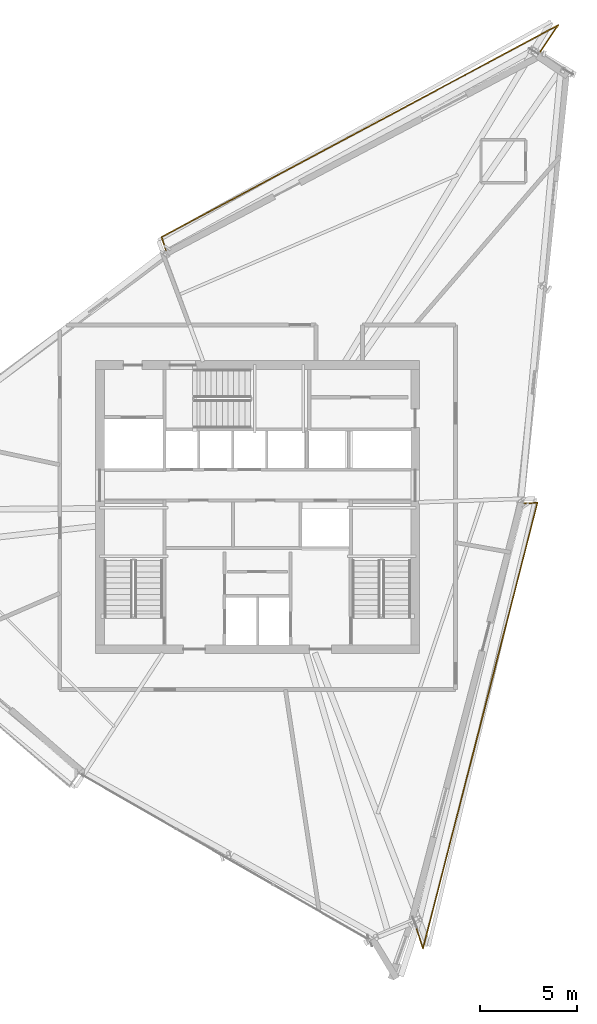
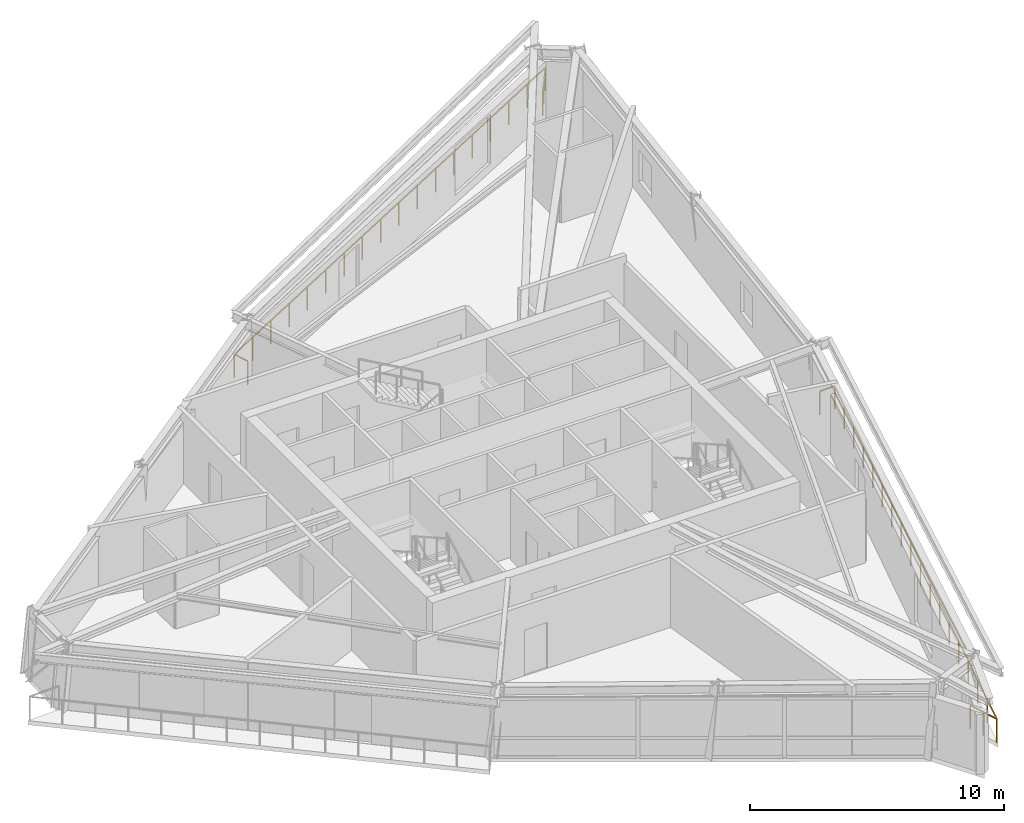
# One storey, part 13 of 13: 2 railings.
"""IFC4 building model written with IfcOpenShell, lengths in metres."""

from ifc_helpers import new_model, si_unit, direction, frame, origin, origin_2d, place, context, subcontext, project, spatial, rectangle, extrude, material, type_object, element, save


model = new_model("IFC4")

# Units and contexts
model_context = context("Model", 3, precision=1e-05, world=origin(), true_north=direction((0.0, 1.0)))
body_context = subcontext(model_context, "Body", "Model", "MODEL_VIEW")
ifc_project = project(units=[si_unit("LENGTHUNIT", "METRE"), si_unit("AREAUNIT", "SQUARE_METRE"), si_unit("VOLUMEUNIT", "CUBIC_METRE"), si_unit("PLANEANGLEUNIT", "RADIAN"), si_unit("MASSUNIT", "GRAM", prefix="KILO")], contexts=[model_context])

# Site, building, storey
site_placement = place(None, origin())
site = spatial("IfcSite", under=ifc_project, at=site_placement, CompositionType="ELEMENT")
building_placement = place(site_placement, origin())
building = spatial("IfcBuilding", under=site, at=building_placement, Name="Olszyna Solenne Hotel", CompositionType="ELEMENT")
storey_placement = place(building_placement, frame((0.0, 0.0, 263.300048828125)))
storey = spatial("IfcBuildingStorey", under=building, at=storey_placement, Name="L70", CompositionType="ELEMENT", Elevation=263.300048828125)

# Railings
ifc_material = material(Name="Anodised bronze aluminium", Category="aluminium")
railing_type = type_object("IfcRailingType", Name="GR-110", PredefinedType="BALUSTRADE", material=ifc_material)
railing_1_placement = place(storey_placement, frame((52.548095703125, 50.034423828125, 0.0)))
element("IfcRailing", 1, at=railing_1_placement, inside=storey, type_object=railing_type, Name="Loggia balcony balustrade guard GR-L70-LG1", PredefinedType="BALUSTRADE", context=body_context, shape_type="SweptSolid", body=[
    extrude(rectangle(XDim=0.048095703125, YDim=0.048095703125, at=origin_2d()), frame((0.0, 0.0, 1.1259765625), z_axis=(0.556031243897, 0.831161389749, 0.0), x_axis=(-0.831161389749, 0.556031243897, 0.0)), (0.0, 0.0, 1.0), 1.692138671875),
    extrude(rectangle(XDim=0.048095703125, YDim=0.048095703125, at=origin_2d()), frame((0.94091796875, 1.406494140625, 1.1259765625), z_axis=(-0.882038892734, -0.47117660352, 0.0), x_axis=(0.47117660352, -0.882038892734, 0.0)), (0.0, 0.0, 1.0), 23.169677734375),
    extrude(rectangle(XDim=0.048095703125, YDim=0.048095703125, at=origin_2d()), frame((-19.49560546875, -9.510498046875, 1.1259765625), z_axis=(0.308058546986, -0.95136740097, 0.0), x_axis=(0.95136740097, 0.308058546986, 0.0)), (0.0, 0.0, 1.0), 0.709228515625),
    extrude(rectangle(XDim=0.0419921875, YDim=0.0419921875, at=origin_2d()), origin(), (0.0, 0.0, 1.0), 1.101806640625),
    extrude(rectangle(XDim=0.0419921875, YDim=0.0419921875, at=origin_2d()), frame((0.470458984375, 0.703125, 0.0)), (0.0, 0.0, 1.0), 1.101806640625),
    extrude(rectangle(XDim=0.0419921875, YDim=0.0419921875, at=origin_2d()), frame((0.94091796875, 1.406494140625, 0.0)), (0.0, 0.0, 1.0), 1.101806640625),
    extrude(rectangle(XDim=0.0419921875, YDim=0.0419921875, at=origin_2d()), frame((-0.26123046875, 0.764404296875, 0.0)), (0.0, 0.0, 1.0), 1.101806640625),
    extrude(rectangle(XDim=0.0419921875, YDim=0.0419921875, at=origin_2d()), frame((-1.46337890625, 0.1220703125, 0.0)), (0.0, 0.0, 1.0), 1.101806640625),
    extrude(rectangle(XDim=0.0419921875, YDim=0.0419921875, at=origin_2d()), frame((-2.66552734375, -0.52001953125, 0.0)), (0.0, 0.0, 1.0), 1.101806640625),
    extrude(rectangle(XDim=0.0419921875, YDim=0.0419921875, at=origin_2d()), frame((-3.86767578125, -1.162109375, 0.0)), (0.0, 0.0, 1.0), 1.101806640625),
    extrude(rectangle(XDim=0.0419921875, YDim=0.0419921875, at=origin_2d()), frame((-5.06982421875, -1.804443359375, 0.0)), (0.0, 0.0, 1.0), 1.101806640625),
    extrude(rectangle(XDim=0.0419921875, YDim=0.0419921875, at=origin_2d()), frame((-6.27197265625, -2.446533203125, 0.0)), (0.0, 0.0, 1.0), 1.101806640625),
    extrude(rectangle(XDim=0.0419921875, YDim=0.0419921875, at=origin_2d()), frame((-7.47412109375, -3.088623046875, 0.0)), (0.0, 0.0, 1.0), 1.101806640625),
    extrude(rectangle(XDim=0.0419921875, YDim=0.0419921875, at=origin_2d()), frame((-8.67626953125, -3.73095703125, 0.0)), (0.0, 0.0, 1.0), 1.101806640625),
    extrude(rectangle(XDim=0.0419921875, YDim=0.0419921875, at=origin_2d()), frame((-9.87841796875, -4.373046875, 0.0)), (0.0, 0.0, 1.0), 1.101806640625),
    extrude(rectangle(XDim=0.0419921875, YDim=0.0419921875, at=origin_2d()), frame((-11.08056640625, -5.015380859375, 0.0)), (0.0, 0.0, 1.0), 1.101806640625),
    extrude(rectangle(XDim=0.0419921875, YDim=0.0419921875, at=origin_2d()), frame((-12.28271484375, -5.657470703125, 0.0)), (0.0, 0.0, 1.0), 1.101806640625),
    extrude(rectangle(XDim=0.0419921875, YDim=0.0419921875, at=origin_2d()), frame((-13.48486328125, -6.299560546875, 0.0)), (0.0, 0.0, 1.0), 1.101806640625),
    extrude(rectangle(XDim=0.0419921875, YDim=0.0419921875, at=origin_2d()), frame((-14.68701171875, -6.94189453125, 0.0)), (0.0, 0.0, 1.0), 1.101806640625),
    extrude(rectangle(XDim=0.0419921875, YDim=0.0419921875, at=origin_2d()), frame((-15.88916015625, -7.583984375, 0.0)), (0.0, 0.0, 1.0), 1.101806640625),
    extrude(rectangle(XDim=0.0419921875, YDim=0.0419921875, at=origin_2d()), frame((-17.09130859375, -8.22607421875, 0.0)), (0.0, 0.0, 1.0), 1.101806640625),
    extrude(rectangle(XDim=0.0419921875, YDim=0.0419921875, at=origin_2d()), frame((-18.29345703125, -8.868408203125, 0.0)), (0.0, 0.0, 1.0), 1.101806640625),
    extrude(rectangle(XDim=0.0419921875, YDim=0.0419921875, at=origin_2d()), frame((-19.49560546875, -9.510498046875, 0.0)), (0.0, 0.0, 1.0), 1.101806640625),
    extrude(rectangle(XDim=0.0419921875, YDim=0.0419921875, at=origin_2d()), frame((-19.277099609375, -10.185302734375, 0.0)), (0.0, 0.0, 1.0), 1.101806640625),
])
railing_2_placement = place(storey_placement, frame((46.085693359375, 5.20166015625, 0.0)))
element("IfcRailing", 2, at=railing_2_placement, inside=storey, type_object=railing_type, Name="Loggia balcony balustrade guard GR-L70-LG3", PredefinedType="BALUSTRADE", context=body_context, shape_type="SweptSolid", body=[
    extrude(rectangle(XDim=0.048095703125, YDim=0.048095703125, at=origin_2d()), frame((0.0, 0.0, 1.1259765625), z_axis=(0.308264768498, -0.951300600495, 0.0), x_axis=(0.951300600495, 0.308264768498, 0.0)), (0.0, 0.0, 1.0), 1.41845703125),
    extrude(rectangle(XDim=0.048095703125, YDim=0.048095703125, at=origin_2d()), frame((0.437255859375, -1.349365234375, 1.1259765625), z_axis=(0.248643531758, 0.968595061992, 0.0), x_axis=(-0.968595061992, 0.248643531758, 0.0)), (0.0, 0.0, 1.0), 23.719482421875),
    extrude(rectangle(XDim=0.048095703125, YDim=0.048095703125, at=origin_2d()), frame((6.3349609375, 21.625244140625, 1.1259765625), z_axis=(-0.999141642396, -0.041424370007, 0.0), x_axis=(0.041424370007, -0.999141642396, 0.0)), (0.0, 0.0, 1.0), 0.689453125),
    extrude(rectangle(XDim=0.0419921875, YDim=0.0419921875, at=origin_2d()), origin(), (0.0, 0.0, 1.0), 1.101806640625),
    extrude(rectangle(XDim=0.0419921875, YDim=0.0419921875, at=origin_2d()), frame((0.21875, -0.6748046875, 0.0)), (0.0, 0.0, 1.0), 1.101806640625),
    extrude(rectangle(XDim=0.0419921875, YDim=0.0419921875, at=origin_2d()), frame((0.437255859375, -1.349365234375, 0.0)), (0.0, 0.0, 1.0), 1.101806640625),
    extrude(rectangle(XDim=0.0419921875, YDim=0.0419921875, at=origin_2d()), frame((0.7841796875, 0.002197265625, 0.0)), (0.0, 0.0, 1.0), 1.101806640625),
    extrude(rectangle(XDim=0.0419921875, YDim=0.0419921875, at=origin_2d()), frame((1.131103515625, 1.353515625, 0.0)), (0.0, 0.0, 1.0), 1.101806640625),
    extrude(rectangle(XDim=0.0419921875, YDim=0.0419921875, at=origin_2d()), frame((1.47802734375, 2.705078125, 0.0)), (0.0, 0.0, 1.0), 1.101806640625),
    extrude(rectangle(XDim=0.0419921875, YDim=0.0419921875, at=origin_2d()), frame((1.824951171875, 4.056396484375, 0.0)), (0.0, 0.0, 1.0), 1.101806640625),
    extrude(rectangle(XDim=0.0419921875, YDim=0.0419921875, at=origin_2d()), frame((2.171875, 5.407958984375, 0.0)), (0.0, 0.0, 1.0), 1.101806640625),
    extrude(rectangle(XDim=0.0419921875, YDim=0.0419921875, at=origin_2d()), frame((2.518798828125, 6.75927734375, 0.0)), (0.0, 0.0, 1.0), 1.101806640625),
    extrude(rectangle(XDim=0.0419921875, YDim=0.0419921875, at=origin_2d()), frame((2.86572265625, 8.11083984375, 0.0)), (0.0, 0.0, 1.0), 1.101806640625),
    extrude(rectangle(XDim=0.0419921875, YDim=0.0419921875, at=origin_2d()), frame((3.212646484375, 9.462158203125, 0.0)), (0.0, 0.0, 1.0), 1.101806640625),
    extrude(rectangle(XDim=0.0419921875, YDim=0.0419921875, at=origin_2d()), frame((3.5595703125, 10.813720703125, 0.0)), (0.0, 0.0, 1.0), 1.101806640625),
    extrude(rectangle(XDim=0.0419921875, YDim=0.0419921875, at=origin_2d()), frame((3.906494140625, 12.1650390625, 0.0)), (0.0, 0.0, 1.0), 1.101806640625),
    extrude(rectangle(XDim=0.0419921875, YDim=0.0419921875, at=origin_2d()), frame((4.25341796875, 13.5166015625, 0.0)), (0.0, 0.0, 1.0), 1.101806640625),
    extrude(rectangle(XDim=0.0419921875, YDim=0.0419921875, at=origin_2d()), frame((4.600341796875, 14.867919921875, 0.0)), (0.0, 0.0, 1.0), 1.101806640625),
    extrude(rectangle(XDim=0.0419921875, YDim=0.0419921875, at=origin_2d()), frame((4.947265625, 16.219482421875, 0.0)), (0.0, 0.0, 1.0), 1.101806640625),
    extrude(rectangle(XDim=0.0419921875, YDim=0.0419921875, at=origin_2d()), frame((5.294189453125, 17.57080078125, 0.0)), (0.0, 0.0, 1.0), 1.101806640625),
    extrude(rectangle(XDim=0.0419921875, YDim=0.0419921875, at=origin_2d()), frame((5.64111328125, 18.92236328125, 0.0)), (0.0, 0.0, 1.0), 1.101806640625),
    extrude(rectangle(XDim=0.0419921875, YDim=0.0419921875, at=origin_2d()), frame((5.988037109375, 20.273681640625, 0.0)), (0.0, 0.0, 1.0), 1.101806640625),
    extrude(rectangle(XDim=0.0419921875, YDim=0.0419921875, at=origin_2d()), frame((6.3349609375, 21.625244140625, 0.0)), (0.0, 0.0, 1.0), 1.101806640625),
    extrude(rectangle(XDim=0.0419921875, YDim=0.0419921875, at=origin_2d()), frame((5.64599609375, 21.5966796875, 0.0)), (0.0, 0.0, 1.0), 1.101806640625),
])

save(model, "model.ifc")
